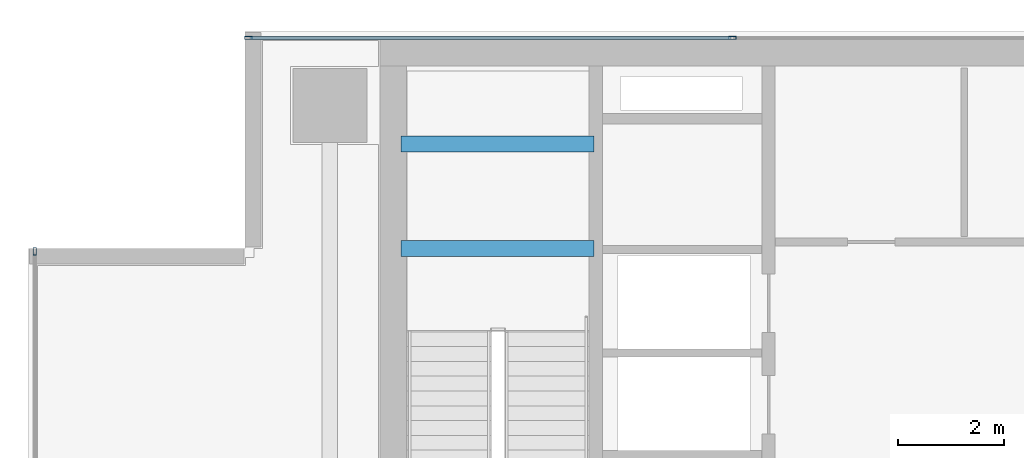
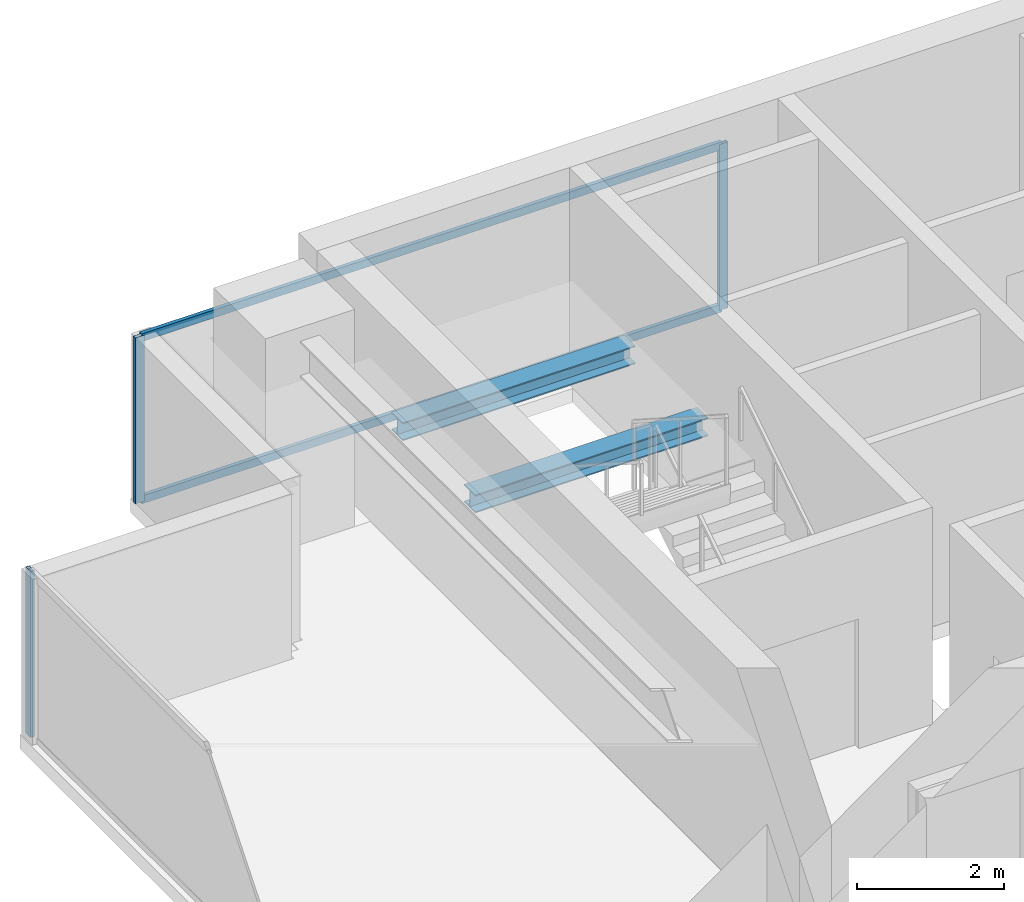
# One storey, part 15 of 25: 5 members, 2 beams, 2 elements without a shape of their own.
"""IFC4 building model written with IfcOpenShell, lengths in metres."""

from ifc_helpers import new_model, si_unit, direction, frame, origin, origin_2d, place, context, subcontext, project, spatial, hollow_rectangle, i_section, extrude, source, transform, mapped, material, layer, layer_set, material_profile, profile_set, type_object, element, aggregate, save


model = new_model("IFC4")

# Units and contexts
model_context = context("Model", 3, precision=1e-05, world=origin(), true_north=direction((0.0, 1.0)))
body_context = subcontext(model_context, "Body", "Model", "MODEL_VIEW")
ifc_project = project(units=[si_unit("LENGTHUNIT", "METRE"), si_unit("AREAUNIT", "SQUARE_METRE"), si_unit("VOLUMEUNIT", "CUBIC_METRE"), si_unit("PLANEANGLEUNIT", "RADIAN"), si_unit("MASSUNIT", "GRAM", prefix="KILO")], contexts=[model_context])

# Site, building, storey
site_placement = place(None, origin())
site = spatial("IfcSite", under=ifc_project, at=site_placement, CompositionType="ELEMENT")
building_placement = place(site_placement, origin())
building = spatial("IfcBuilding", under=site, at=building_placement, Name="Sumidabori Civic Tower", CompositionType="ELEMENT")
storey_placement = place(building_placement, frame((0.0, 0.0, 268.39990234375)))
storey = spatial("IfcBuildingStorey", under=building, at=storey_placement, Name="L70", CompositionType="ELEMENT", Elevation=268.39990234375)

# Beams
ifc_material_1 = material(Name="Steel SN490", Category="steel")
ifc_material_profile_1 = material_profile(ifc_material_1, i_section(OverallWidth=0.300048828125, OverallDepth=0.300048828125, WebThickness=0.010986328125, FlangeThickness=0.01904296875, at=origin_2d()), Name="HE 300 B")
ifc_profile_set_1 = profile_set([ifc_material_profile_1], Name="Steel SN490")
beam_type = type_object("IfcBeamType", Name="BM-LDG-300", PredefinedType="BEAM", material=ifc_profile_set_1)
shared_shape_1 = source(origin(), body_context, "Body", "SweptSolid", [
    extrude(i_section(OverallWidth=0.300048828125, OverallDepth=0.300048828125, WebThickness=0.010986328125, FlangeThickness=0.01904296875, at=origin_2d()), origin(), (0.0, 0.0, 1.0), 3.64990234375),
])
for number, where, z_axis, x_axis, name in (
    (1, (-15.449951171875, 20.09765625, 1.4501953125), (1.0, 0.0, 0.0), (0.0, 1.0, 0.0), "Stair ST-1 Landing Support Beam L70-1A"),
    (2, (-15.449951171875, 22.069580078125, 1.4501953125), (1.0, 0.0, 0.0), (0.0, 1.0, 0.0), "Stair ST-1 Landing Trimmer Beam L70-1B"),
):
    element("IfcBeam", number, at=place(storey_placement, frame(where, z_axis=z_axis, x_axis=x_axis)), inside=storey, type_object=beam_type, Name=name, PredefinedType="BEAM", context=body_context, shape_type="MappedRepresentation", body=[
        mapped(shared_shape_1, transform((0.0, 0.0, 0.0), x_axis=(1.0, 0.0, 0.0), y_axis=(0.0, 1.0, 0.0), z_axis=(0.0, 0.0, 1.0), scale=1.0)),
    ])

# Curtain wall, members
ifc_material_2 = material(Name="Anodised Bronze Aluminium AW-6063-T6", Category="aluminium")
ifc_layer = layer(ifc_material_2, 0.179931640625, Name="Anodised Bronze Aluminium AW-6063-T6")
ifc_layer_set = layer_set([ifc_layer], Name="Anodised Bronze Aluminium AW-6063-T6")
curtain_wall_type = type_object("IfcCurtainWallType", Name="CW-SYS-5", PredefinedType="NOTDEFINED", material=ifc_layer_set)
curtain_wall_1_placement = place(storey_placement, origin())
curtain_wall_1 = element("IfcCurtainWall", 3, at=curtain_wall_1_placement, inside=storey, type_object=curtain_wall_type, Name="Curtain Wall CW:L70:R07", PredefinedType="NOTDEFINED")
ifc_material_profile_2 = material_profile(ifc_material_2, hollow_rectangle(XDim=0.06005859375, YDim=0.1298828125, WallThickness=0.0048828125, at=origin_2d()), Name="ALU TRANSOM 130x60")
ifc_profile_set_2 = profile_set([ifc_material_profile_2], Name="Anodised Bronze Aluminium AW-6063-T6")
member_type_1 = type_object("IfcMemberType", Name="CW-TRN-130", PredefinedType="USERDEFINED", material=ifc_profile_set_2)
shared_shape_2 = source(origin(), body_context, "Body", "SweptSolid", [
    extrude(hollow_rectangle(XDim=0.06005859375, YDim=0.1298828125, WallThickness=0.0048828125, at=origin_2d()), origin(), (0.0, 0.0, 1.0), 9.094970703125),
])
member_1_placement = place(storey_placement, frame((-9.215087890625, 24.080078125, 0.030029296875), z_axis=(-1.0, 0.0, 0.0), x_axis=(0.0, -1.0, 0.0)))
member_1 = element("IfcMember", 4, at=member_1_placement, type_object=member_type_1, Name="CW-5 transom 4.1", ObjectType="TRANSOM", PredefinedType="USERDEFINED", context=body_context, shape_type="MappedRepresentation", body=[
    mapped(shared_shape_2, transform((0.0, 0.0, 0.0), x_axis=(1.0, 0.0, 0.0), y_axis=(0.0, 1.0, 0.0), z_axis=(0.0, 0.0, 1.0), scale=1.0)),
])
member_2_placement = place(storey_placement, frame((-9.215087890625, 24.080078125, 2.72021484375), z_axis=(-1.0, 0.0, 0.0), x_axis=(0.0, -1.0, 0.0)))
member_2 = element("IfcMember", 5, at=member_2_placement, type_object=member_type_1, Name="CW-5 transom 4.2", ObjectType="TRANSOM", PredefinedType="USERDEFINED", context=body_context, shape_type="MappedRepresentation", body=[
    mapped(shared_shape_2, transform((0.0, 0.0, 0.0), x_axis=(1.0, 0.0, 0.0), y_axis=(0.0, 1.0, 0.0), z_axis=(0.0, 0.0, 1.0), scale=1.0)),
])
ifc_material_profile_3 = material_profile(ifc_material_2, hollow_rectangle(XDim=0.06005859375, YDim=0.139892578125, WallThickness=0.0048828125, at=origin_2d()), Name="ALU MULLION 140x60")
ifc_profile_set_3 = profile_set([ifc_material_profile_3], Name="Anodised Bronze Aluminium AW-6063-T6")
member_type_2 = type_object("IfcMemberType", Name="CW-MUL-140", PredefinedType="MULLION", material=ifc_profile_set_3)
shared_shape_3 = source(origin(), body_context, "Body", "SweptSolid", [
    extrude(hollow_rectangle(XDim=0.06005859375, YDim=0.139892578125, WallThickness=0.0048828125, at=origin_2d()), origin(), (0.0, 0.0, 1.0), 2.75),
])
member_3_placement = place(storey_placement, frame((-9.18505859375, 24.080078125, 0.0), z_axis=(0.0, 0.0, 1.0), x_axis=(0.0, -1.0, 0.0)))
member_3 = element("IfcMember", 6, at=member_3_placement, type_object=member_type_2, Name="CW-5 mullion 4", PredefinedType="MULLION", context=body_context, shape_type="MappedRepresentation", body=[
    mapped(shared_shape_3, transform((0.0, 0.0, 0.0), x_axis=(1.0, 0.0, 0.0), y_axis=(0.0, 1.0, 0.0), z_axis=(0.0, 0.0, 1.0), scale=1.0)),
])
member_4_placement = place(storey_placement, frame((-18.340087890625, 24.080078125, 0.0), z_axis=(0.0, 0.0, 1.0), x_axis=(0.0, -1.0, 0.0)))
member_4 = element("IfcMember", 7, at=member_4_placement, type_object=member_type_2, Name="CW-5 mullion 5", PredefinedType="MULLION", context=body_context, shape_type="MappedRepresentation", body=[
    mapped(shared_shape_3, transform((0.0, 0.0, 0.0), x_axis=(1.0, 0.0, 0.0), y_axis=(0.0, 1.0, 0.0), z_axis=(0.0, 0.0, 1.0), scale=1.0)),
])
aggregate(curtain_wall_1, [member_3, member_4, member_1, member_2])

# Curtain wall, member
curtain_wall_2_placement = place(storey_placement, origin())
curtain_wall_2 = element("IfcCurtainWall", 8, at=curtain_wall_2_placement, inside=storey, type_object=curtain_wall_type, Name="Curtain Wall CW:L70:R10", PredefinedType="NOTDEFINED")
member_5_placement = place(storey_placement, frame((-22.3798828125, 20.0400390625, 0.0), z_axis=(0.0, 0.0, 1.0), x_axis=(1.0, 0.0, 0.0)))
member_5 = element("IfcMember", 9, at=member_5_placement, type_object=member_type_2, Name="CW-5 mullion 1", PredefinedType="MULLION", context=body_context, shape_type="MappedRepresentation", body=[
    mapped(shared_shape_3, transform((0.0, 0.0, 0.0), x_axis=(1.0, 0.0, 0.0), y_axis=(0.0, 1.0, 0.0), z_axis=(0.0, 0.0, 1.0), scale=1.0)),
])
aggregate(curtain_wall_2, [member_5])

save(model, "model.ifc")
